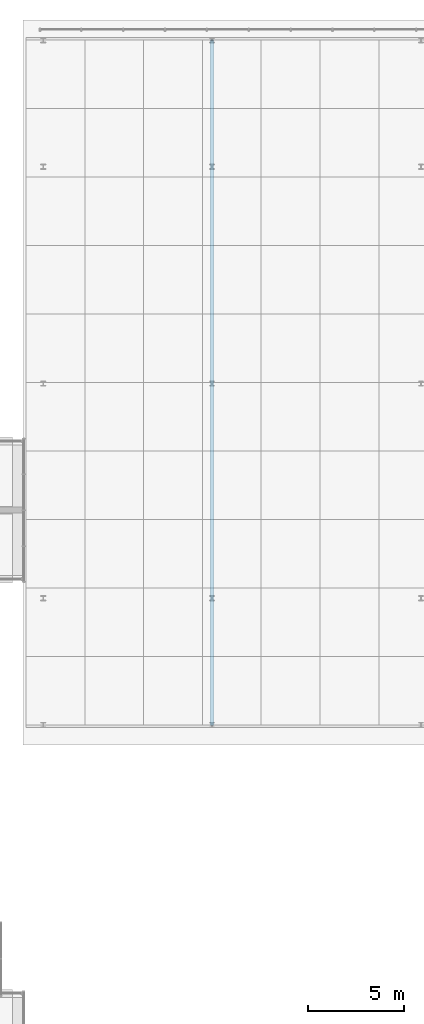
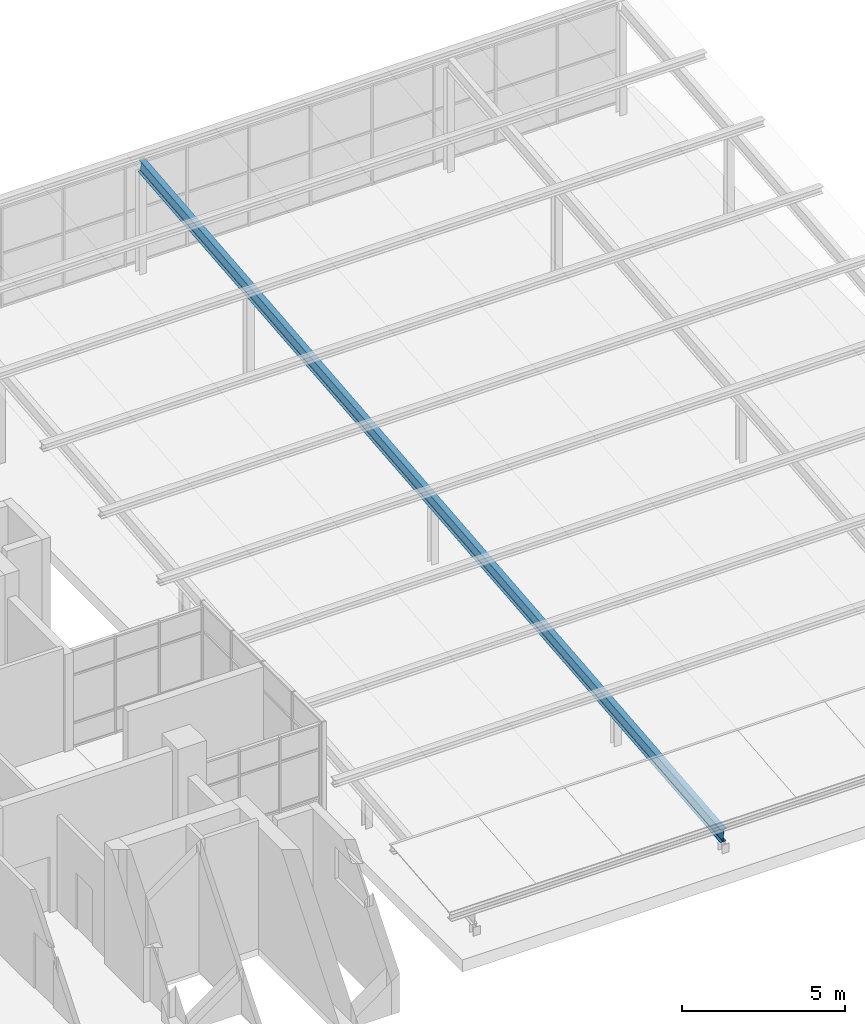
# One storey, part 19 of 44: 1 member.
"""IFC4 building model written with IfcOpenShell, lengths in metres."""

from ifc_helpers import new_model, si_unit, direction, frame, origin, origin_2d, place, context, subcontext, project, spatial, i_section, extrude, material, material_profile, profile_set, type_object, element, save


model = new_model("IFC4")

# Units and contexts
model_context = context("Model", 3, precision=1e-05, world=origin(), true_north=direction((0.0, 1.0)))
body_context = subcontext(model_context, "Body", "Model", "MODEL_VIEW")
ifc_project = project(units=[si_unit("LENGTHUNIT", "METRE"), si_unit("AREAUNIT", "SQUARE_METRE"), si_unit("VOLUMEUNIT", "CUBIC_METRE"), si_unit("PLANEANGLEUNIT", "RADIAN"), si_unit("MASSUNIT", "GRAM", prefix="KILO")], contexts=[model_context])

# Site, building, storey
site_placement = place(None, origin())
site = spatial("IfcSite", under=ifc_project, at=site_placement, CompositionType="ELEMENT")
building_placement = place(site_placement, origin())
building = spatial("IfcBuilding", under=site, at=building_placement, Name="Basin Gate Institute", CompositionType="ELEMENT")
storey_placement = place(building_placement, frame((0.0, 0.0, 27.0)))
storey = spatial("IfcBuildingStorey", under=building, at=storey_placement, Name="L05", CompositionType="ELEMENT", Elevation=27.0)

# Member
ifc_material = material(Name="Structural steel SN490", Category="steel")
ifc_material_profile = material_profile(ifc_material, i_section(OverallWidth=0.199951171875, OverallDepth=0.5, WebThickness=0.010009765625, FlangeThickness=0.01611328125, FilletRadius=0.02001953125, at=origin_2d()), Name="H500x200")
ifc_profile_set = profile_set([ifc_material_profile], Name="Structural steel SN490")
member_type = type_object("IfcMemberType", Name="Umbrella rafter SB1 R120", PredefinedType="RAFTER", material=ifc_profile_set)
member_placement = place(storey_placement, frame((133.5, 70.699951171875, 0.566650390625), z_axis=(0.0, 0.995324527335, 0.096587190073), x_axis=(-1.0, 0.0, 0.0)))
element("IfcMember", 1, at=member_placement, inside=storey, type_object=member_type, material=ifc_profile_set, Name="Umbrella roof rafter 2", PredefinedType="RAFTER", context=body_context, shape_type="SweptSolid", body=[
    extrude(i_section(OverallWidth=0.199951171875, OverallDepth=0.5, WebThickness=0.010009765625, FlangeThickness=0.01611328125, FilletRadius=0.02001953125, at=origin_2d()), origin(), (0.0, 0.0, 1.0), 35.86767578125),
])

save(model, "model.ifc")
